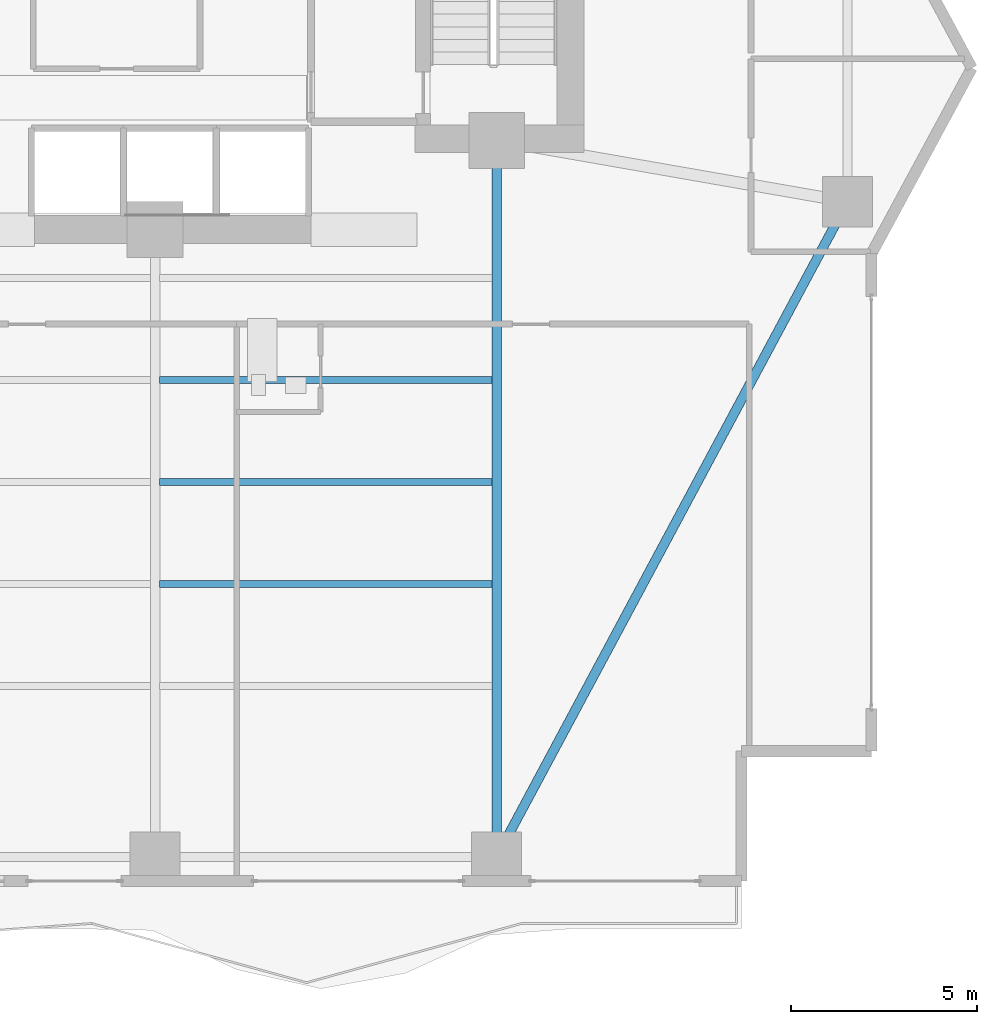
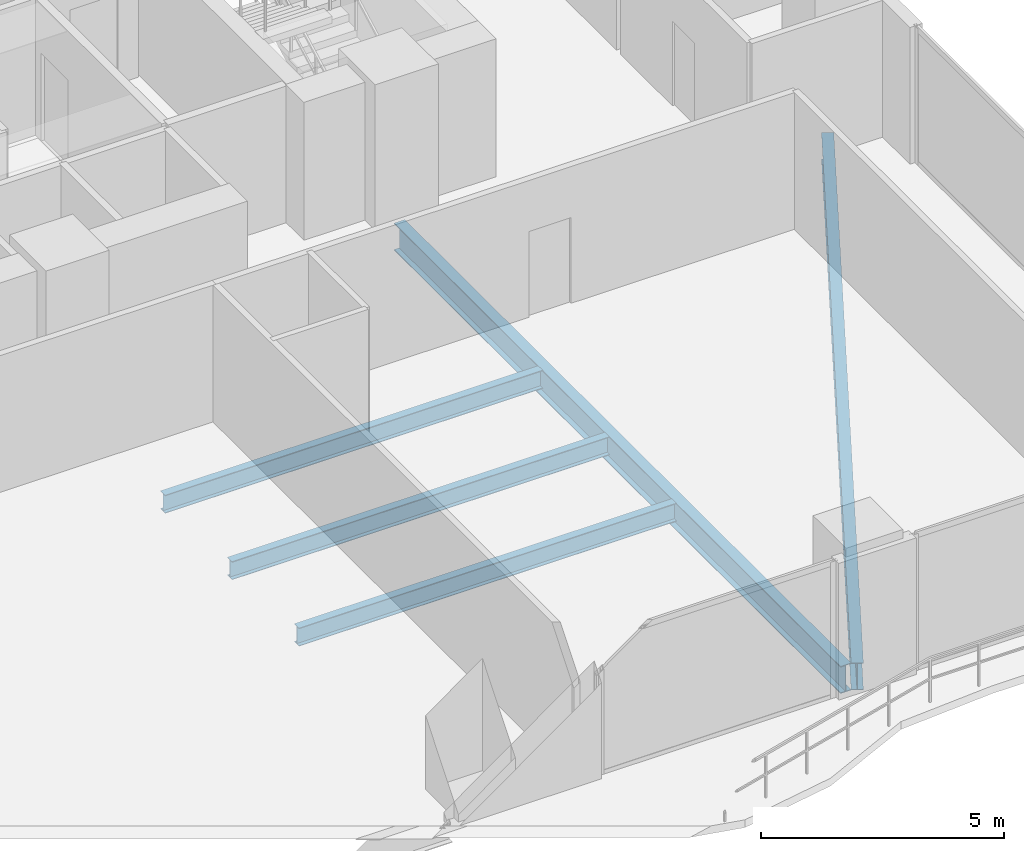
# One storey, part 10 of 28: 5 beams.
"""IFC4 building model written with IfcOpenShell, lengths in metres."""

from ifc_helpers import new_model, si_unit, direction, frame, origin, origin_2d, place, context, subcontext, project, spatial, i_section, extrude, material, material_profile, profile_set, type_object, element, save


model = new_model("IFC4")

# Units and contexts
model_context = context("Model", 3, precision=1e-05, world=origin(), true_north=direction((0.0, 1.0)))
body_context = subcontext(model_context, "Body", "Model", "MODEL_VIEW")
ifc_project = project(units=[si_unit("LENGTHUNIT", "METRE"), si_unit("AREAUNIT", "SQUARE_METRE"), si_unit("VOLUMEUNIT", "CUBIC_METRE"), si_unit("PLANEANGLEUNIT", "RADIAN"), si_unit("MASSUNIT", "GRAM", prefix="KILO")], contexts=[model_context])

# Site, building, storey
site_placement = place(None, origin())
site = spatial("IfcSite", under=ifc_project, at=site_placement, CompositionType="ELEMENT")
building_placement = place(site_placement, origin())
building = spatial("IfcBuilding", under=site, at=building_placement, Name="Zuhayl Quay Hotel", CompositionType="ELEMENT")
storey_placement = place(building_placement, frame((0.0, 0.0, 110.25)))
storey = spatial("IfcBuildingStorey", under=building, at=storey_placement, Name="L27", CompositionType="ELEMENT", Elevation=110.25)

# Beams
ifc_material = material(Name="Steel ASTM A992 Grade 50", Category="steel")
ifc_material_profile_1 = material_profile(ifc_material, i_section(OverallWidth=0.25390625, OverallDepth=0.68310546875, WebThickness=0.012451171875, FlangeThickness=0.018798828125, at=origin_2d()), Name="W27X94")
ifc_profile_set_1 = profile_set([ifc_material_profile_1], Name="Steel ASTM A992 Grade 50")
beam_type_1 = type_object("IfcBeamType", Name="BM_B2_W27X94", PredefinedType="BEAM", material=ifc_profile_set_1)
beam_1_placement = place(storey_placement, frame((14.035888671875, -14.30908203125, -0.5615234375), z_axis=(0.472017301959, 0.88158928456, 0.0), x_axis=(-0.88158928456, 0.472017301959, 0.0)))
element("IfcBeam", 1, at=beam_1_placement, inside=storey, type_object=beam_type_1, Name="L27 Floor Beam RG_L27_04", PredefinedType="BEAM", context=body_context, shape_type="SweptSolid", body=[
    extrude(i_section(OverallWidth=0.25390625, OverallDepth=0.68310546875, WebThickness=0.012451171875, FlangeThickness=0.018798828125, at=origin_2d()), origin(), (0.0, 0.0, 1.0), 19.0205078125),
])
beam_2_placement = place(storey_placement, frame((13.800048828125, -14.25, -0.5615234375), z_axis=(0.0, 1.0, 0.0), x_axis=(-1.0, 0.0, 0.0)))
element("IfcBeam", 2, at=beam_2_placement, inside=storey, type_object=beam_type_1, Name="L27 Floor Beam FG_S_L27_4", PredefinedType="BEAM", context=body_context, shape_type="SweptSolid", body=[
    extrude(i_section(OverallWidth=0.25390625, OverallDepth=0.68310546875, WebThickness=0.012451171875, FlangeThickness=0.018798828125, at=origin_2d()), origin(), (0.0, 0.0, 1.0), 18.35009765625),
])
ifc_material_profile_2 = material_profile(ifc_material, i_section(OverallWidth=0.18994140625, OverallDepth=0.45703125, WebThickness=0.009033203125, FlangeThickness=0.014404296875, at=origin_2d()), Name="W18X50")
ifc_profile_set_2 = profile_set([ifc_material_profile_2], Name="Steel ASTM A992 Grade 50")
beam_type_2 = type_object("IfcBeamType", Name="BM_J2_W18X50", PredefinedType="JOIST", material=ifc_profile_set_2)
for number, where, z_axis, x_axis, name in (
    (3, (4.718994140625, -7.39990234375, -0.448486328125), (1.0, 0.0, 0.0), (0.0, 1.0, 0.0), "L27 Floor Beam FJ_L27_6_3"),
    (4, (4.718994140625, -4.64990234375, -0.448486328125), (1.0, 0.0, 0.0), (0.0, 1.0, 0.0), "L27 Floor Beam FJ_L27_7_3"),
    (5, (4.718994140625, -1.89990234375, -0.448486328125), (1.0, 0.0, 0.0), (0.0, 1.0, 0.0), "L27 Floor Beam FJ_L27_8_3"),
):
    element("IfcBeam", number, at=place(storey_placement, frame(where, z_axis=z_axis, x_axis=x_axis)), inside=storey, type_object=beam_type_2, Name=name, PredefinedType="JOIST", context=body_context, shape_type="SweptSolid", body=[
        extrude(i_section(OverallWidth=0.18994140625, OverallDepth=0.45703125, WebThickness=0.009033203125, FlangeThickness=0.014404296875, at=origin_2d()), origin(), (0.0, 0.0, 1.0), 8.9619140625),
    ])

save(model, "model.ifc")
